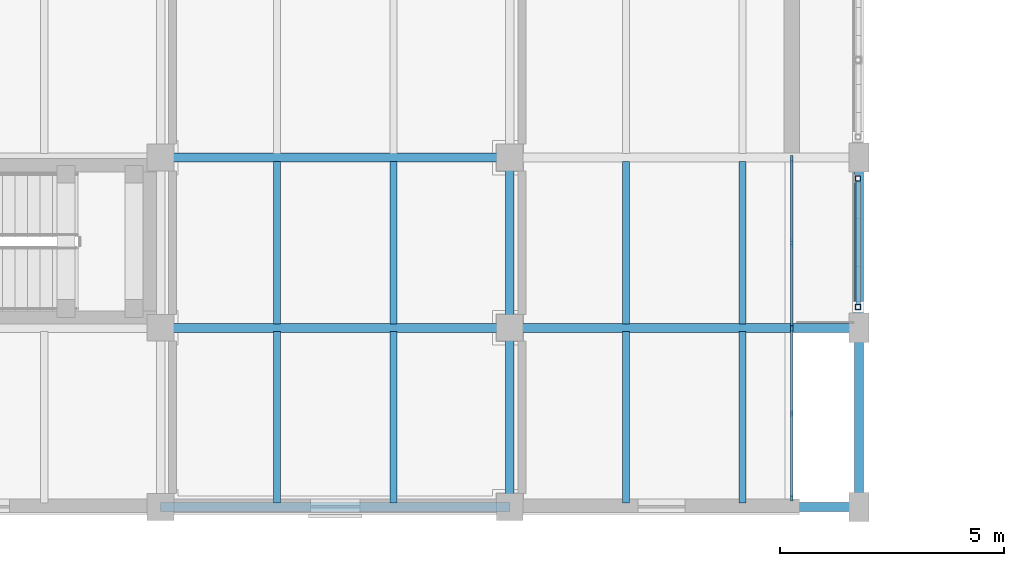
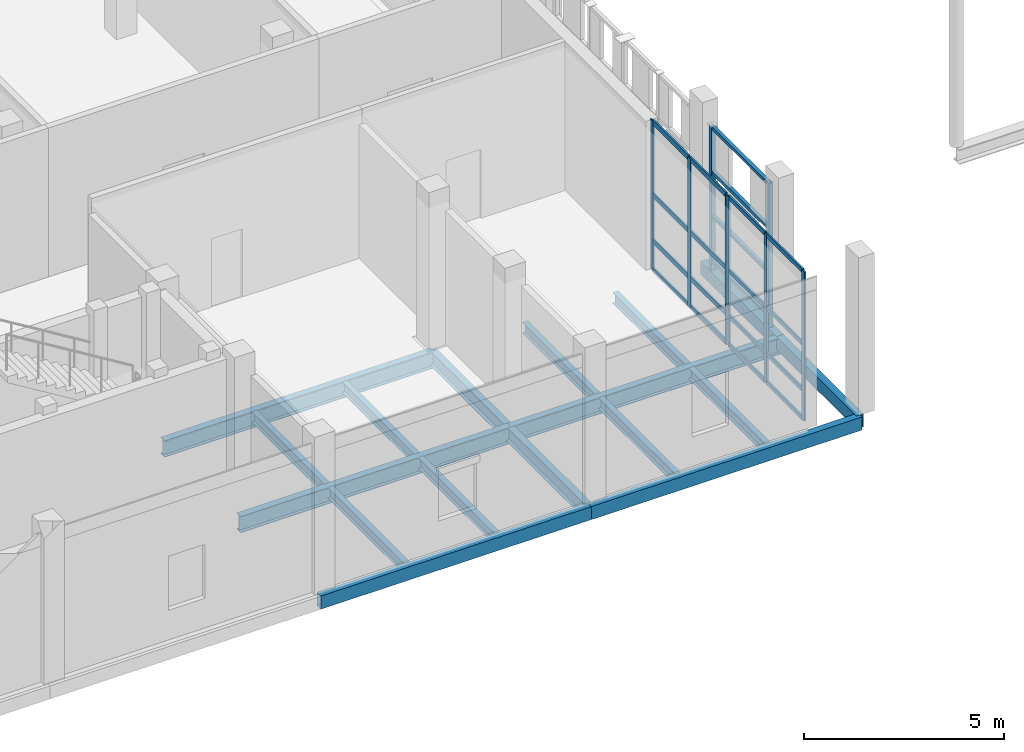
# One storey, part 24 of 138: 28 members, 17 beams, 2 elements without a shape of their own.
"""IFC4 building model written with IfcOpenShell, lengths in metres."""

from ifc_helpers import new_model, si_unit, direction, frame, origin, origin_2d, place, context, subcontext, project, spatial, rectangle, hollow_rectangle, i_section, extrude, material, layer, layer_set, material_profile, profile_set, type_object, element, aggregate, save


model = new_model("IFC4")

# Units and contexts
model_context = context("Model", 3, precision=1e-05, world=origin(), true_north=direction((0.0, 1.0)))
body_context = subcontext(model_context, "Body", "Model", "MODEL_VIEW")
ifc_project = project(units=[si_unit("LENGTHUNIT", "METRE"), si_unit("AREAUNIT", "SQUARE_METRE"), si_unit("VOLUMEUNIT", "CUBIC_METRE"), si_unit("PLANEANGLEUNIT", "RADIAN"), si_unit("MASSUNIT", "GRAM", prefix="KILO")], contexts=[model_context])

# Site, building, storey
site_placement = place(None, origin())
site = spatial("IfcSite", under=ifc_project, at=site_placement, CompositionType="ELEMENT")
building_placement = place(site_placement, origin())
building = spatial("IfcBuilding", under=site, at=building_placement, Name="Celorna Specialist Clinic", CompositionType="ELEMENT")
storey_placement = place(building_placement, frame((0.0, 0.0, 4.800048828125)))
storey = spatial("IfcBuildingStorey", under=building, at=storey_placement, Name="L01", CompositionType="ELEMENT", Elevation=4.800048828125)

# Beams
ifc_material_1 = material(Name="Steel S355", Category="steel")
ifc_material_profile_1 = material_profile(ifc_material_1, i_section(OverallWidth=0.199951171875, OverallDepth=0.5, WebThickness=0.01025390625, FlangeThickness=0.01611328125, at=origin_2d()), Name="IPE 500")
ifc_profile_set_1 = profile_set([ifc_material_profile_1], Name="Steel S355")
beam_type_1 = type_object("IfcBeamType", Name="BM-08", PredefinedType="BEAM", material=ifc_profile_set_1)
for number, where, z_axis, x_axis, name in (
    (1, (31.199951171875, 4.0, -0.510009765625), (1.0, 0.0, 0.0), (0.0, 1.0, 0.0), "Primary girder BM-08 #1593"),
    (2, (39.0, 4.0, -0.510009765625), (1.0, 0.0, 0.0), (0.0, 1.0, 0.0), "Primary girder BM-08 #1594"),
    (3, (31.199951171875, 7.800048828125, -0.510009765625), (1.0, 0.0, 0.0), (0.0, 1.0, 0.0), "Primary girder BM-08 #1599"),
):
    element("IfcBeam", number, at=place(storey_placement, frame(where, z_axis=z_axis, x_axis=x_axis)), inside=storey, type_object=beam_type_1, Name=name, PredefinedType="BEAM", context=body_context, shape_type="SweptSolid", body=[
        extrude(i_section(OverallWidth=0.199951171875, OverallDepth=0.5, WebThickness=0.01025390625, FlangeThickness=0.01611328125, at=origin_2d()), origin(), (0.0, 0.0, 1.0), 7.800048828125),
    ])
ifc_material_profile_2 = material_profile(ifc_material_1, i_section(OverallWidth=0.18994140625, OverallDepth=0.449951171875, WebThickness=0.009521484375, FlangeThickness=0.0146484375, at=origin_2d()), Name="IPE 450")
ifc_profile_set_2 = profile_set([ifc_material_profile_2], Name="Steel S355")
beam_type_2 = type_object("IfcBeamType", Name="BM-09", PredefinedType="BEAM", material=ifc_profile_set_2)
beam_1_placement = place(storey_placement, frame((39.0, 0.0, -0.485107421875), z_axis=(0.0, 1.0, 0.0), x_axis=(-1.0, 0.0, 0.0)))
element("IfcBeam", 4, at=beam_1_placement, inside=storey, type_object=beam_type_2, Name="Transverse girder BM-09 #1643", PredefinedType="BEAM", context=body_context, shape_type="SweptSolid", body=[
    extrude(i_section(OverallWidth=0.18994140625, OverallDepth=0.449951171875, WebThickness=0.009521484375, FlangeThickness=0.0146484375, at=origin_2d()), origin(), (0.0, 0.0, 1.0), 4.0),
])
beam_2_placement = place(storey_placement, frame((39.0, 4.0, -0.485107421875), z_axis=(0.0, 1.0, 0.0), x_axis=(-1.0, 0.0, 0.0)))
element("IfcBeam", 5, at=beam_2_placement, inside=storey, type_object=beam_type_2, Name="Transverse girder BM-09 #1644", PredefinedType="BEAM", context=body_context, shape_type="SweptSolid", body=[
    extrude(i_section(OverallWidth=0.18994140625, OverallDepth=0.449951171875, WebThickness=0.009521484375, FlangeThickness=0.0146484375, at=origin_2d()), origin(), (0.0, 0.0, 1.0), 3.800048828125),
])
ifc_material_profile_3 = material_profile(ifc_material_1, i_section(OverallWidth=0.159912109375, OverallDepth=0.330078125, WebThickness=0.007568359375, FlangeThickness=0.011474609375, at=origin_2d()), Name="IPE 330")
ifc_profile_set_3 = profile_set([ifc_material_profile_3], Name="Steel S355")
beam_type_3 = type_object("IfcBeamType", Name="BM-12", PredefinedType="JOIST", material=ifc_profile_set_3)
for number, where, z_axis, x_axis, name in (
    (6, (33.800048828125, 0.087890625, -0.425048828125), (0.0, 1.0, 0.0), (-1.0, 0.0, 0.0), "Secondary floor joist BM-12 #1684"),
    (7, (36.39990234375, 0.087890625, -0.425048828125), (0.0, 1.0, 0.0), (-1.0, 0.0, 0.0), "Secondary floor joist BM-12 #1685"),
):
    element("IfcBeam", number, at=place(storey_placement, frame(where, z_axis=z_axis, x_axis=x_axis)), inside=storey, type_object=beam_type_3, Name=name, PredefinedType="JOIST", context=body_context, shape_type="SweptSolid", body=[
        extrude(i_section(OverallWidth=0.159912109375, OverallDepth=0.330078125, WebThickness=0.007568359375, FlangeThickness=0.011474609375, at=origin_2d()), origin(), (0.0, 0.0, 1.0), 3.82421875),
    ])
for number, where, z_axis, x_axis, name in (
    (8, (33.800048828125, 4.087890625, -0.425048828125), (0.0, 1.0, 0.0), (-1.0, 0.0, 0.0), "Secondary floor joist BM-12 #1686"),
    (9, (36.39990234375, 4.087890625, -0.425048828125), (0.0, 1.0, 0.0), (-1.0, 0.0, 0.0), "Secondary floor joist BM-12 #1687"),
):
    element("IfcBeam", number, at=place(storey_placement, frame(where, z_axis=z_axis, x_axis=x_axis)), inside=storey, type_object=beam_type_3, Name=name, PredefinedType="JOIST", context=body_context, shape_type="SweptSolid", body=[
        extrude(i_section(OverallWidth=0.159912109375, OverallDepth=0.330078125, WebThickness=0.007568359375, FlangeThickness=0.011474609375, at=origin_2d()), origin(), (0.0, 0.0, 1.0), 3.6240234375),
    ])
for number, where, z_axis, x_axis, name in (
    (10, (41.60009765625, 0.087890625, -0.425048828125), (0.0, 1.0, 0.0), (-1.0, 0.0, 0.0), "Secondary floor joist BM-12 #1694"),
    (11, (44.199951171875, 0.087890625, -0.425048828125), (0.0, 1.0, 0.0), (-1.0, 0.0, 0.0), "Secondary floor joist BM-12 #1695"),
):
    element("IfcBeam", number, at=place(storey_placement, frame(where, z_axis=z_axis, x_axis=x_axis)), inside=storey, type_object=beam_type_3, Name=name, PredefinedType="JOIST", context=body_context, shape_type="SweptSolid", body=[
        extrude(i_section(OverallWidth=0.159912109375, OverallDepth=0.330078125, WebThickness=0.007568359375, FlangeThickness=0.011474609375, at=origin_2d()), origin(), (0.0, 0.0, 1.0), 3.82421875),
    ])
for number, where, z_axis, x_axis, name in (
    (12, (41.60009765625, 4.087890625, -0.425048828125), (0.0, 1.0, 0.0), (-1.0, 0.0, 0.0), "Secondary floor joist BM-12 #1696"),
    (13, (44.199951171875, 4.087890625, -0.425048828125), (0.0, 1.0, 0.0), (-1.0, 0.0, 0.0), "Secondary floor joist BM-12 #1697"),
):
    element("IfcBeam", number, at=place(storey_placement, frame(where, z_axis=z_axis, x_axis=x_axis)), inside=storey, type_object=beam_type_3, Name=name, PredefinedType="JOIST", context=body_context, shape_type="SweptSolid", body=[
        extrude(i_section(OverallWidth=0.159912109375, OverallDepth=0.330078125, WebThickness=0.007568359375, FlangeThickness=0.011474609375, at=origin_2d()), origin(), (0.0, 0.0, 1.0), 3.6240234375),
    ])
ifc_material_profile_4 = material_profile(ifc_material_1, hollow_rectangle(XDim=0.199951171875, YDim=0.39990234375, WallThickness=0.011962890625, at=origin_2d()), Name="RHS 200x400x12")
ifc_profile_set_4 = profile_set([ifc_material_profile_4], Name="Steel S355")
beam_type_4 = type_object("IfcBeamType", Name="BM-15", PredefinedType="SPANDREL", material=ifc_profile_set_4)
for number, where, z_axis, x_axis, name in (
    (14, (31.199951171875, 0.0, -0.4599609375), (1.0, 0.0, 0.0), (0.0, 1.0, 0.0), "Spandrel beam BM-15 #1587"),
    (15, (39.0, 0.0, -0.4599609375), (1.0, 0.0, 0.0), (0.0, 1.0, 0.0), "Spandrel beam BM-15 #1588"),
):
    element("IfcBeam", number, at=place(storey_placement, frame(where, z_axis=z_axis, x_axis=x_axis)), inside=storey, type_object=beam_type_4, Name=name, PredefinedType="SPANDREL", context=body_context, shape_type="SweptSolid", body=[
        extrude(hollow_rectangle(XDim=0.199951171875, YDim=0.39990234375, WallThickness=0.011962890625, at=origin_2d()), origin(), (0.0, 0.0, 1.0), 7.800048828125),
    ])
beam_3_placement = place(storey_placement, frame((46.800048828125, 0.0, -0.4599609375), z_axis=(0.0, 1.0, 0.0), x_axis=(-1.0, 0.0, 0.0)))
element("IfcBeam", 16, at=beam_3_placement, inside=storey, type_object=beam_type_4, Name="Spandrel beam BM-15 #1648", PredefinedType="SPANDREL", context=body_context, shape_type="SweptSolid", body=[
    extrude(hollow_rectangle(XDim=0.199951171875, YDim=0.39990234375, WallThickness=0.011962890625, at=origin_2d()), origin(), (0.0, 0.0, 1.0), 4.0),
])
beam_4_placement = place(storey_placement, frame((46.800048828125, 4.0, -0.4599609375), z_axis=(0.0, 1.0, 0.0), x_axis=(-1.0, 0.0, 0.0)))
element("IfcBeam", 17, at=beam_4_placement, inside=storey, type_object=beam_type_4, Name="Spandrel beam BM-15 #1649", PredefinedType="SPANDREL", context=body_context, shape_type="SweptSolid", body=[
    extrude(hollow_rectangle(XDim=0.199951171875, YDim=0.39990234375, WallThickness=0.011962890625, at=origin_2d()), origin(), (0.0, 0.0, 1.0), 3.800048828125),
])

# Members
ifc_material_profile_5 = material_profile(ifc_material_1, hollow_rectangle(XDim=0.1201171875, YDim=0.1201171875, WallThickness=0.008056640625, at=origin_2d()), Name="SHS 120x120x8")
ifc_profile_set_5 = profile_set([ifc_material_profile_5], Name="Steel S355")
member_type_1 = type_object("IfcMemberType", Name="MB-11", PredefinedType="STUD", material=ifc_profile_set_5)
for number, where, z_axis, x_axis, name in (
    (18, (46.780029296875, 4.465087890625, -0.360107421875), (0.0, 0.0, 1.0), (1.0, 0.0, 0.0), "Perforated screen steel post #1613"),
    (19, (46.780029296875, 7.3349609375, -0.360107421875), (0.0, 0.0, 1.0), (1.0, 0.0, 0.0), "Perforated screen steel post #1614"),
):
    element("IfcMember", number, at=place(storey_placement, frame(where, z_axis=z_axis, x_axis=x_axis)), inside=storey, type_object=member_type_1, Name=name, PredefinedType="STUD", context=body_context, shape_type="SweptSolid", body=[
        extrude(hollow_rectangle(XDim=0.1201171875, YDim=0.1201171875, WallThickness=0.008056640625, at=origin_2d()), origin(), (0.0, 0.0, 1.0), 4.5),
    ])
ifc_material_profile_6 = material_profile(ifc_material_1, hollow_rectangle(XDim=0.10009765625, YDim=0.10009765625, WallThickness=0.006103515625, at=origin_2d()), Name="SHS 100x100x6")
ifc_profile_set_6 = profile_set([ifc_material_profile_6], Name="Steel S355")
member_type_2 = type_object("IfcMemberType", Name="MB-12", PredefinedType="STUD", material=ifc_profile_set_6)
for number, where, z_axis, x_axis, name in (
    (20, (46.780029296875, 4.52490234375, 0.050048828125), (0.0, 1.0, 0.0), (-1.0, 0.0, 0.0), "Perforated screen rail #1615"),
    (21, (46.780029296875, 4.52490234375, 1.396728515625), (0.0, 1.0, 0.0), (-1.0, 0.0, 0.0), "Perforated screen rail #1616"),
    (22, (46.780029296875, 4.52490234375, 2.7431640625), (0.0, 1.0, 0.0), (-1.0, 0.0, 0.0), "Perforated screen rail #1617"),
    (23, (46.780029296875, 4.52490234375, 4.08984375), (0.0, 1.0, 0.0), (-1.0, 0.0, 0.0), "Perforated screen rail #1618"),
):
    element("IfcMember", number, at=place(storey_placement, frame(where, z_axis=z_axis, x_axis=x_axis)), inside=storey, type_object=member_type_2, Name=name, PredefinedType="STUD", context=body_context, shape_type="SweptSolid", body=[
        extrude(hollow_rectangle(XDim=0.10009765625, YDim=0.10009765625, WallThickness=0.006103515625, at=origin_2d()), origin(), (0.0, 0.0, 1.0), 2.75),
    ])

# Curtain wall, members
ifc_material_2 = material(Name="Thermally broken aluminium and solar-control glass curtain wall", Category="aluminium")
ifc_layer_1 = layer(ifc_material_2, 0.159912109375, Name="Thermally broken aluminium and solar-control glass curtain wall")
ifc_layer_set_1 = layer_set([ifc_layer_1], Name="Thermally broken aluminium and solar-control glass curtain wall")
curtain_wall_type_1 = type_object("IfcCurtainWallType", Name="CW-84", PredefinedType="NOTDEFINED", material=ifc_layer_set_1)
curtain_wall_1_placement = place(storey_placement, origin())
curtain_wall_1 = element("IfcCurtainWall", 24, at=curtain_wall_1_placement, inside=storey, type_object=curtain_wall_type_1, Name="Curtain wall CW-84 #158", PredefinedType="NOTDEFINED")
ifc_material_3 = material(Name="Anodized aluminium mullion", Category="aluminium")
ifc_material_profile_7 = material_profile(ifc_material_3, rectangle(XDim=0.050048828125, YDim=0.159912109375, at=origin_2d()), Name="ALU MULLION 50x160")
ifc_profile_set_7 = profile_set([ifc_material_profile_7], Name="Anodized aluminium mullion")
member_type_3 = type_object("IfcMemberType", Name="ML-01", PredefinedType="MULLION", material=ifc_profile_set_7)
member_1_placement = place(storey_placement, frame((45.300048828125, 7.77099609375, 0.0), z_axis=(0.0, 0.0, 1.0), x_axis=(1.0, 0.0, 0.0)))
member_1 = element("IfcMember", 25, at=member_1_placement, type_object=member_type_3, Name="CW-84 mullion 1", PredefinedType="MULLION", context=body_context, shape_type="SweptSolid", body=[
    extrude(rectangle(XDim=0.050048828125, YDim=0.159912109375, at=origin_2d()), origin(), (0.0, 0.0, 1.0), 4.5400390625),
])
member_2_placement = place(storey_placement, frame((45.300048828125, 5.89990234375, 0.0), z_axis=(0.0, 0.0, 1.0), x_axis=(1.0, 0.0, 0.0)))
member_2 = element("IfcMember", 26, at=member_2_placement, type_object=member_type_3, Name="CW-84 mullion 2", PredefinedType="MULLION", context=body_context, shape_type="SweptSolid", body=[
    extrude(rectangle(XDim=0.050048828125, YDim=0.159912109375, at=origin_2d()), origin(), (0.0, 0.0, 1.0), 4.5400390625),
])
member_3_placement = place(storey_placement, frame((45.300048828125, 4.029052734375, 0.0), z_axis=(0.0, 0.0, 1.0), x_axis=(1.0, 0.0, 0.0)))
member_3 = element("IfcMember", 27, at=member_3_placement, type_object=member_type_3, Name="CW-84 mullion 3", PredefinedType="MULLION", context=body_context, shape_type="SweptSolid", body=[
    extrude(rectangle(XDim=0.050048828125, YDim=0.159912109375, at=origin_2d()), origin(), (0.0, 0.0, 1.0), 4.5400390625),
])

ifc_layer_2 = layer(ifc_material_2, 0.159912109375, Name="Thermally broken aluminium and solar-control glass curtain wall")
ifc_layer_set_2 = layer_set([ifc_layer_2], Name="Thermally broken aluminium and solar-control glass curtain wall")
curtain_wall_type_2 = type_object("IfcCurtainWallType", Name="CW-83", PredefinedType="NOTDEFINED", material=ifc_layer_set_2)
curtain_wall_2_placement = place(storey_placement, origin())
curtain_wall_2 = element("IfcCurtainWall", 28, at=curtain_wall_2_placement, inside=storey, type_object=curtain_wall_type_2, Name="Curtain wall CW-83 #157", PredefinedType="NOTDEFINED")
ifc_material_profile_8 = material_profile(ifc_material_3, rectangle(XDim=0.050048828125, YDim=0.139892578125, at=origin_2d()), Name="ALU MULLION 50x140")
ifc_profile_set_8 = profile_set([ifc_material_profile_8], Name="Anodized aluminium mullion")
member_type_4 = type_object("IfcMemberType", Name="ML-03", PredefinedType="MULLION", material=ifc_profile_set_8)
member_4_placement = place(storey_placement, frame((45.300048828125, 3.970947265625, 0.0), z_axis=(0.0, 0.0, 1.0), x_axis=(1.0, 0.0, 0.0)))
member_4 = element("IfcMember", 29, at=member_4_placement, type_object=member_type_4, Name="CW-83 mullion 1", PredefinedType="MULLION", context=body_context, shape_type="SweptSolid", body=[
    extrude(rectangle(XDim=0.050048828125, YDim=0.139892578125, at=origin_2d()), origin(), (0.0, 0.0, 1.0), 4.5400390625),
])
member_5_placement = place(storey_placement, frame((45.300048828125, 2.0849609375, 0.0), z_axis=(0.0, 0.0, 1.0), x_axis=(1.0, 0.0, 0.0)))
member_5 = element("IfcMember", 30, at=member_5_placement, type_object=member_type_4, Name="CW-83 mullion 2", PredefinedType="MULLION", context=body_context, shape_type="SweptSolid", body=[
    extrude(rectangle(XDim=0.050048828125, YDim=0.139892578125, at=origin_2d()), origin(), (0.0, 0.0, 1.0), 4.5400390625),
])
member_6_placement = place(storey_placement, frame((45.300048828125, 0.198974609375, 0.0), z_axis=(0.0, 0.0, 1.0), x_axis=(1.0, 0.0, 0.0)))
member_6 = element("IfcMember", 31, at=member_6_placement, type_object=member_type_4, Name="CW-83 mullion 3", PredefinedType="MULLION", context=body_context, shape_type="SweptSolid", body=[
    extrude(rectangle(XDim=0.050048828125, YDim=0.139892578125, at=origin_2d()), origin(), (0.0, 0.0, 1.0), 4.5400390625),
])
ifc_material_4 = material(Name="Anodized aluminium transom", Category="aluminium")
ifc_material_profile_9 = material_profile(ifc_material_4, rectangle(XDim=0.050048828125, YDim=0.1298828125, at=origin_2d()), Name="ALU TRANSOM 50x130")
ifc_profile_set_9 = profile_set([ifc_material_profile_9], Name="Anodized aluminium transom")
member_type_5 = type_object("IfcMemberType", Name="TR-01", PredefinedType="USERDEFINED", material=ifc_profile_set_9)
member_7_placement = place(storey_placement, frame((45.300048828125, 3.946044921875, 0.02490234375), z_axis=(0.0, -1.0, 0.0), x_axis=(1.0, 0.0, 0.0)))
member_7 = element("IfcMember", 32, at=member_7_placement, type_object=member_type_5, Name="CW-83 transom 1.1", ObjectType="TRANSOM", PredefinedType="USERDEFINED", context=body_context, shape_type="SweptSolid", body=[
    extrude(rectangle(XDim=0.050048828125, YDim=0.1298828125, at=origin_2d()), origin(), (0.0, 0.0, 1.0), 1.8359375),
])
member_8_placement = place(storey_placement, frame((45.300048828125, 3.946044921875, 0.89990234375), z_axis=(0.0, -1.0, 0.0), x_axis=(1.0, 0.0, 0.0)))
member_8 = element("IfcMember", 33, at=member_8_placement, type_object=member_type_5, Name="CW-83 transom 1.2", ObjectType="TRANSOM", PredefinedType="USERDEFINED", context=body_context, shape_type="SweptSolid", body=[
    extrude(rectangle(XDim=0.050048828125, YDim=0.1298828125, at=origin_2d()), origin(), (0.0, 0.0, 1.0), 1.8359375),
])
member_9_placement = place(storey_placement, frame((45.300048828125, 3.946044921875, 2.300048828125), z_axis=(0.0, -1.0, 0.0), x_axis=(1.0, 0.0, 0.0)))
member_9 = element("IfcMember", 34, at=member_9_placement, type_object=member_type_5, Name="CW-83 transom 1.3", ObjectType="TRANSOM", PredefinedType="USERDEFINED", context=body_context, shape_type="SweptSolid", body=[
    extrude(rectangle(XDim=0.050048828125, YDim=0.1298828125, at=origin_2d()), origin(), (0.0, 0.0, 1.0), 1.8359375),
])
member_10_placement = place(storey_placement, frame((45.300048828125, 3.946044921875, 4.514892578125), z_axis=(0.0, -1.0, 0.0), x_axis=(1.0, 0.0, 0.0)))
member_10 = element("IfcMember", 35, at=member_10_placement, type_object=member_type_5, Name="CW-83 transom 1.4", ObjectType="TRANSOM", PredefinedType="USERDEFINED", context=body_context, shape_type="SweptSolid", body=[
    extrude(rectangle(XDim=0.050048828125, YDim=0.1298828125, at=origin_2d()), origin(), (0.0, 0.0, 1.0), 1.8359375),
])
member_11_placement = place(storey_placement, frame((45.300048828125, 2.06005859375, 0.02490234375), z_axis=(0.0, -1.0, 0.0), x_axis=(1.0, 0.0, 0.0)))
member_11 = element("IfcMember", 36, at=member_11_placement, type_object=member_type_5, Name="CW-83 transom 2.1", ObjectType="TRANSOM", PredefinedType="USERDEFINED", context=body_context, shape_type="SweptSolid", body=[
    extrude(rectangle(XDim=0.050048828125, YDim=0.1298828125, at=origin_2d()), origin(), (0.0, 0.0, 1.0), 1.8359375),
])
member_12_placement = place(storey_placement, frame((45.300048828125, 2.06005859375, 0.89990234375), z_axis=(0.0, -1.0, 0.0), x_axis=(1.0, 0.0, 0.0)))
member_12 = element("IfcMember", 37, at=member_12_placement, type_object=member_type_5, Name="CW-83 transom 2.2", ObjectType="TRANSOM", PredefinedType="USERDEFINED", context=body_context, shape_type="SweptSolid", body=[
    extrude(rectangle(XDim=0.050048828125, YDim=0.1298828125, at=origin_2d()), origin(), (0.0, 0.0, 1.0), 1.8359375),
])
member_13_placement = place(storey_placement, frame((45.300048828125, 2.06005859375, 2.300048828125), z_axis=(0.0, -1.0, 0.0), x_axis=(1.0, 0.0, 0.0)))
member_13 = element("IfcMember", 38, at=member_13_placement, type_object=member_type_5, Name="CW-83 transom 2.3", ObjectType="TRANSOM", PredefinedType="USERDEFINED", context=body_context, shape_type="SweptSolid", body=[
    extrude(rectangle(XDim=0.050048828125, YDim=0.1298828125, at=origin_2d()), origin(), (0.0, 0.0, 1.0), 1.8359375),
])
member_14_placement = place(storey_placement, frame((45.300048828125, 2.06005859375, 4.514892578125), z_axis=(0.0, -1.0, 0.0), x_axis=(1.0, 0.0, 0.0)))
member_14 = element("IfcMember", 39, at=member_14_placement, type_object=member_type_5, Name="CW-83 transom 2.4", ObjectType="TRANSOM", PredefinedType="USERDEFINED", context=body_context, shape_type="SweptSolid", body=[
    extrude(rectangle(XDim=0.050048828125, YDim=0.1298828125, at=origin_2d()), origin(), (0.0, 0.0, 1.0), 1.8359375),
])
aggregate(curtain_wall_2, [member_4, member_5, member_6, member_7, member_8, member_9, member_10, member_11, member_12, member_13, member_14])

# Member
ifc_material_profile_10 = material_profile(ifc_material_4, rectangle(XDim=0.050048828125, YDim=0.14990234375, at=origin_2d()), Name="ALU TRANSOM 50x150")
ifc_profile_set_10 = profile_set([ifc_material_profile_10], Name="Anodized aluminium transom")
member_type_6 = type_object("IfcMemberType", Name="TR-02", PredefinedType="USERDEFINED", material=ifc_profile_set_10)
member_15_placement = place(storey_placement, frame((45.300048828125, 7.74609375, 0.02490234375), z_axis=(0.0, -1.0, 0.0), x_axis=(1.0, 0.0, 0.0)))
member_15 = element("IfcMember", 40, at=member_15_placement, type_object=member_type_6, Name="CW-84 transom 1.1", ObjectType="TRANSOM", PredefinedType="USERDEFINED", context=body_context, shape_type="SweptSolid", body=[
    extrude(rectangle(XDim=0.050048828125, YDim=0.14990234375, at=origin_2d()), origin(), (0.0, 0.0, 1.0), 1.821044921875),
])

member_16_placement = place(storey_placement, frame((45.300048828125, 7.74609375, 0.89990234375), z_axis=(0.0, -1.0, 0.0), x_axis=(1.0, 0.0, 0.0)))
member_16 = element("IfcMember", 41, at=member_16_placement, type_object=member_type_6, Name="CW-84 transom 1.2", ObjectType="TRANSOM", PredefinedType="USERDEFINED", context=body_context, shape_type="SweptSolid", body=[
    extrude(rectangle(XDim=0.050048828125, YDim=0.14990234375, at=origin_2d()), origin(), (0.0, 0.0, 1.0), 1.821044921875),
])

member_17_placement = place(storey_placement, frame((45.300048828125, 7.74609375, 2.300048828125), z_axis=(0.0, -1.0, 0.0), x_axis=(1.0, 0.0, 0.0)))
member_17 = element("IfcMember", 42, at=member_17_placement, type_object=member_type_6, Name="CW-84 transom 1.3", ObjectType="TRANSOM", PredefinedType="USERDEFINED", context=body_context, shape_type="SweptSolid", body=[
    extrude(rectangle(XDim=0.050048828125, YDim=0.14990234375, at=origin_2d()), origin(), (0.0, 0.0, 1.0), 1.821044921875),
])

member_18_placement = place(storey_placement, frame((45.300048828125, 7.74609375, 4.514892578125), z_axis=(0.0, -1.0, 0.0), x_axis=(1.0, 0.0, 0.0)))
member_18 = element("IfcMember", 43, at=member_18_placement, type_object=member_type_6, Name="CW-84 transom 1.4", ObjectType="TRANSOM", PredefinedType="USERDEFINED", context=body_context, shape_type="SweptSolid", body=[
    extrude(rectangle(XDim=0.050048828125, YDim=0.14990234375, at=origin_2d()), origin(), (0.0, 0.0, 1.0), 1.821044921875),
])

member_19_placement = place(storey_placement, frame((45.300048828125, 5.875, 0.02490234375), z_axis=(0.0, -1.0, 0.0), x_axis=(1.0, 0.0, 0.0)))
member_19 = element("IfcMember", 44, at=member_19_placement, type_object=member_type_6, Name="CW-84 transom 2.1", ObjectType="TRANSOM", PredefinedType="USERDEFINED", context=body_context, shape_type="SweptSolid", body=[
    extrude(rectangle(XDim=0.050048828125, YDim=0.14990234375, at=origin_2d()), origin(), (0.0, 0.0, 1.0), 1.821044921875),
])

member_20_placement = place(storey_placement, frame((45.300048828125, 5.875, 0.89990234375), z_axis=(0.0, -1.0, 0.0), x_axis=(1.0, 0.0, 0.0)))
member_20 = element("IfcMember", 45, at=member_20_placement, type_object=member_type_6, Name="CW-84 transom 2.2", ObjectType="TRANSOM", PredefinedType="USERDEFINED", context=body_context, shape_type="SweptSolid", body=[
    extrude(rectangle(XDim=0.050048828125, YDim=0.14990234375, at=origin_2d()), origin(), (0.0, 0.0, 1.0), 1.821044921875),
])

member_21_placement = place(storey_placement, frame((45.300048828125, 5.875, 2.300048828125), z_axis=(0.0, -1.0, 0.0), x_axis=(1.0, 0.0, 0.0)))
member_21 = element("IfcMember", 46, at=member_21_placement, type_object=member_type_6, Name="CW-84 transom 2.3", ObjectType="TRANSOM", PredefinedType="USERDEFINED", context=body_context, shape_type="SweptSolid", body=[
    extrude(rectangle(XDim=0.050048828125, YDim=0.14990234375, at=origin_2d()), origin(), (0.0, 0.0, 1.0), 1.821044921875),
])

member_22_placement = place(storey_placement, frame((45.300048828125, 5.875, 4.514892578125), z_axis=(0.0, -1.0, 0.0), x_axis=(1.0, 0.0, 0.0)))
member_22 = element("IfcMember", 47, at=member_22_placement, type_object=member_type_6, Name="CW-84 transom 2.4", ObjectType="TRANSOM", PredefinedType="USERDEFINED", context=body_context, shape_type="SweptSolid", body=[
    extrude(rectangle(XDim=0.050048828125, YDim=0.14990234375, at=origin_2d()), origin(), (0.0, 0.0, 1.0), 1.821044921875),
])

aggregate(curtain_wall_1, [member_1, member_2, member_3, member_15, member_16, member_17, member_18, member_19, member_20, member_21, member_22])

save(model, "model.ifc")
